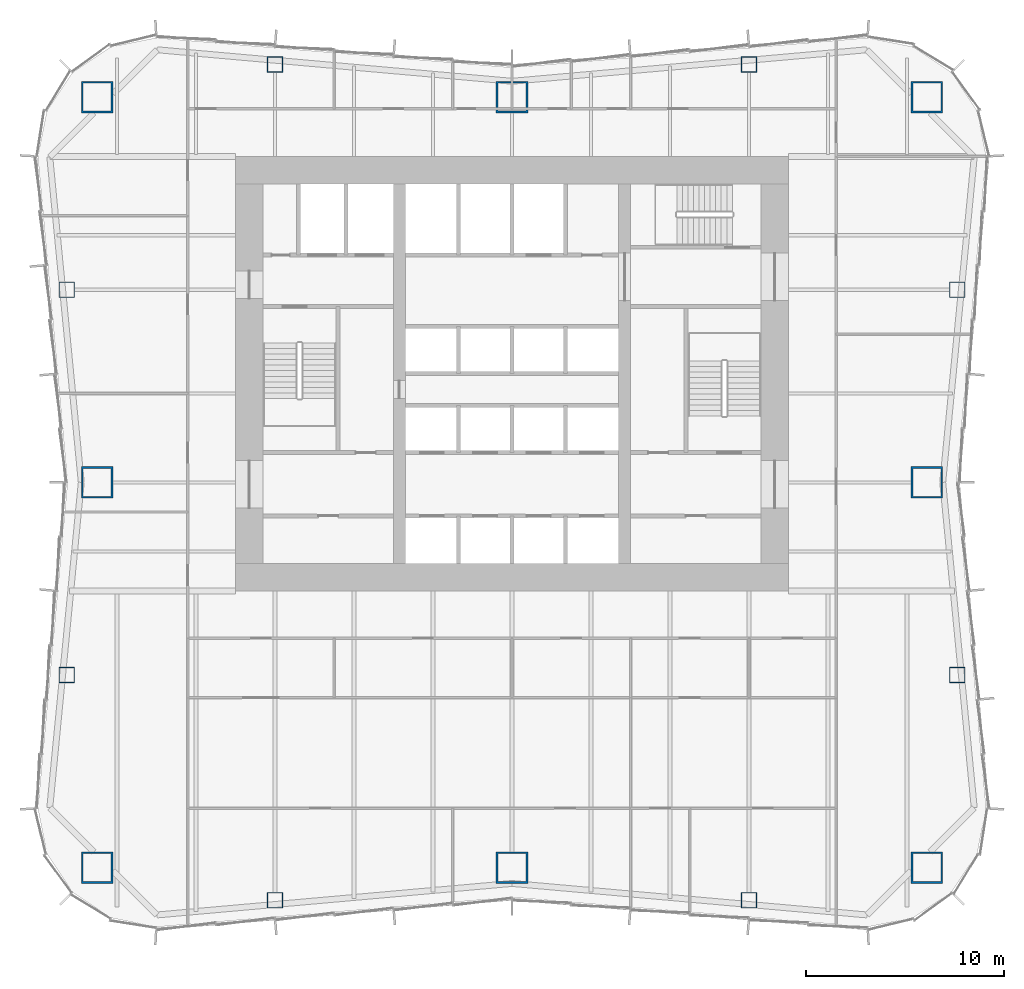
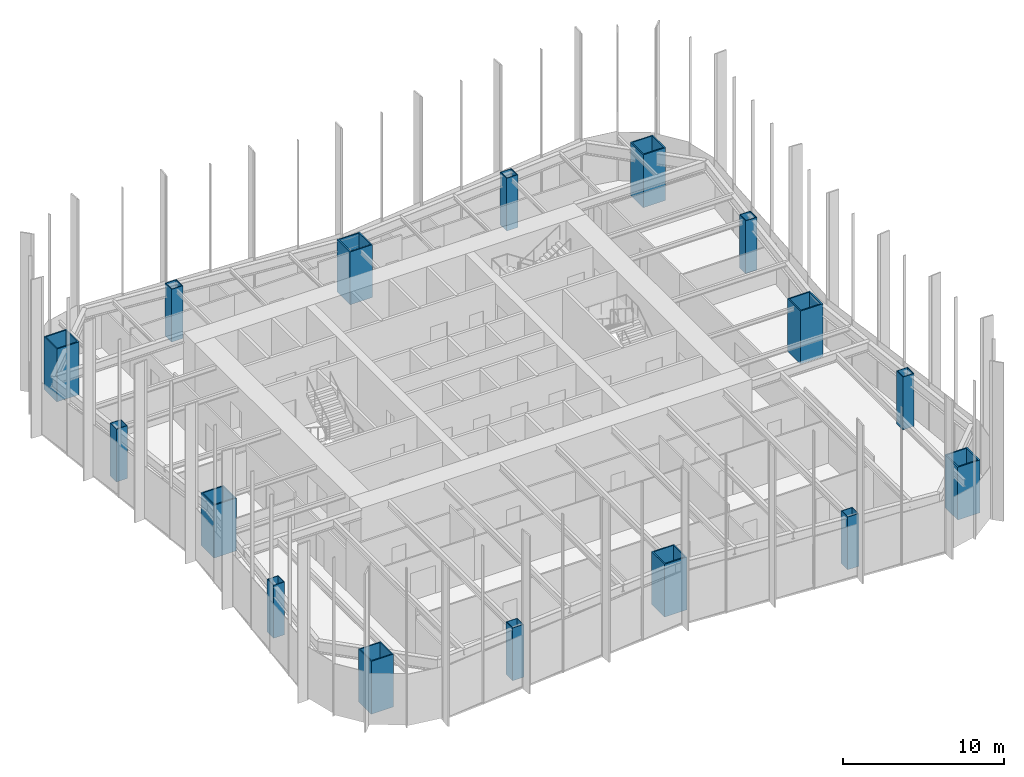
# One storey, part 1 of 13: 16 columns.
"""IFC4 building model written with IfcOpenShell, lengths in metres."""

from ifc_helpers import new_model, si_unit, direction, frame, origin, origin_2d, place, context, subcontext, project, spatial, hollow_rectangle, extrude, material, material_profile, profile_set, type_object, element, save


model = new_model("IFC4")

# Units and contexts
model_context = context("Model", 3, precision=1e-05, world=origin(), true_north=direction((0.0, 1.0)))
body_context = subcontext(model_context, "Body", "Model", "MODEL_VIEW")
ifc_project = project(units=[si_unit("LENGTHUNIT", "METRE"), si_unit("AREAUNIT", "SQUARE_METRE"), si_unit("VOLUMEUNIT", "CUBIC_METRE"), si_unit("PLANEANGLEUNIT", "RADIAN"), si_unit("MASSUNIT", "GRAM", prefix="KILO")], contexts=[model_context])

# Site, building, storey
site_placement = place(None, origin())
site = spatial("IfcSite", under=ifc_project, at=site_placement, CompositionType="ELEMENT")
building_placement = place(site_placement, origin())
building = spatial("IfcBuilding", under=site, at=building_placement, Name="Verdant Reach Tower", CompositionType="ELEMENT")
storey_placement = place(building_placement, frame((0.0, 0.0, 14.0)))
storey = spatial("IfcBuildingStorey", under=building, at=storey_placement, Name="L02", CompositionType="ELEMENT", Elevation=14.0)

# Columns
ifc_material = material(Name="Steel S460", Category="steel")
ifc_material_profile_1 = material_profile(ifc_material, hollow_rectangle(XDim=1.60009765625, YDim=1.60009765625, WallThickness=0.090087890625, at=origin_2d()), Name="WB 1600x1600x90")
ifc_profile_set_1 = profile_set([ifc_material_profile_1], Name="Steel S460")
column_type_1 = type_object("IfcColumnType", Name="ST-COL-WB1600x1600x90", PredefinedType="COLUMN", material=ifc_profile_set_1)
for number, where, z_axis, x_axis, name in (
    (1, (-21.0, 42.0, 0.0), (0.0, 0.0, 1.0), (1.0, 0.0, 0.0), "Mega column north-west, L02"),
    (2, (0.0, 42.0, 0.0), (0.0, 0.0, 1.0), (1.0, 0.0, 0.0), "Mega column north, L02"),
    (3, (21.0, 42.0, 0.0), (0.0, 0.0, 1.0), (1.0, 0.0, 0.0), "Mega column north-east, L02"),
    (4, (21.0, 22.5, 0.0), (0.0, 0.0, 1.0), (1.0, 0.0, 0.0), "Mega column east, L02"),
    (5, (21.0, 3.0, 0.0), (0.0, 0.0, 1.0), (1.0, 0.0, 0.0), "Mega column south-east, L02"),
    (6, (0.0, 3.0, 0.0), (0.0, 0.0, 1.0), (1.0, 0.0, 0.0), "Mega column south, L02"),
    (7, (-21.0, 3.0, 0.0), (0.0, 0.0, 1.0), (1.0, 0.0, 0.0), "Mega column south-west, L02"),
    (8, (-21.0, 22.5, 0.0), (0.0, 0.0, 1.0), (1.0, 0.0, 0.0), "Mega column west, L02"),
):
    element("IfcColumn", number, at=place(storey_placement, frame(where, z_axis=z_axis, x_axis=x_axis)), inside=storey, type_object=column_type_1, Name=name, PredefinedType="COLUMN", context=body_context, shape_type="SweptSolid", body=[
        extrude(hollow_rectangle(XDim=1.60009765625, YDim=1.60009765625, WallThickness=0.090087890625, at=origin_2d()), origin(), (0.0, 0.0, 1.0), 4.0),
    ])
ifc_material_profile_2 = material_profile(ifc_material, hollow_rectangle(XDim=0.800048828125, YDim=0.800048828125, WallThickness=0.0400390625, at=origin_2d()), Name="WB 800x800x40")
ifc_profile_set_2 = profile_set([ifc_material_profile_2], Name="Steel S460")
column_type_2 = type_object("IfcColumnType", Name="ST-COL-WB800x800x40", PredefinedType="COLUMN", material=ifc_profile_set_2)
for number, where, z_axis, x_axis, name in (
    (9, (-12.0, 43.64990234375, 0.0), (0.0, 0.0, 1.0), (1.0, 0.0, 0.0), "Perimeter column north 1, L02"),
    (10, (12.0, 43.64990234375, 0.0), (0.0, 0.0, 1.0), (1.0, 0.0, 0.0), "Perimeter column north 2, L02"),
    (11, (-12.0, 1.35009765625, 0.0), (0.0, 0.0, 1.0), (1.0, 0.0, 0.0), "Perimeter column south 1, L02"),
    (12, (12.0, 1.35009765625, 0.0), (0.0, 0.0, 1.0), (1.0, 0.0, 0.0), "Perimeter column south 2, L02"),
    (13, (22.536376953125, 12.75, 0.0), (0.0, 0.0, 1.0), (1.0, 0.0, 0.0), "Perimeter column east 1, L02"),
    (14, (22.536376953125, 32.25, 0.0), (0.0, 0.0, 1.0), (1.0, 0.0, 0.0), "Perimeter column east 2, L02"),
    (15, (-22.536376953125, 12.75, 0.0), (0.0, 0.0, 1.0), (1.0, 0.0, 0.0), "Perimeter column west 1, L02"),
    (16, (-22.536376953125, 32.25, 0.0), (0.0, 0.0, 1.0), (1.0, 0.0, 0.0), "Perimeter column west 2, L02"),
):
    element("IfcColumn", number, at=place(storey_placement, frame(where, z_axis=z_axis, x_axis=x_axis)), inside=storey, type_object=column_type_2, Name=name, PredefinedType="COLUMN", context=body_context, shape_type="SweptSolid", body=[
        extrude(hollow_rectangle(XDim=0.800048828125, YDim=0.800048828125, WallThickness=0.0400390625, at=origin_2d()), origin(), (0.0, 0.0, 1.0), 4.0),
    ])

save(model, "model.ifc")
